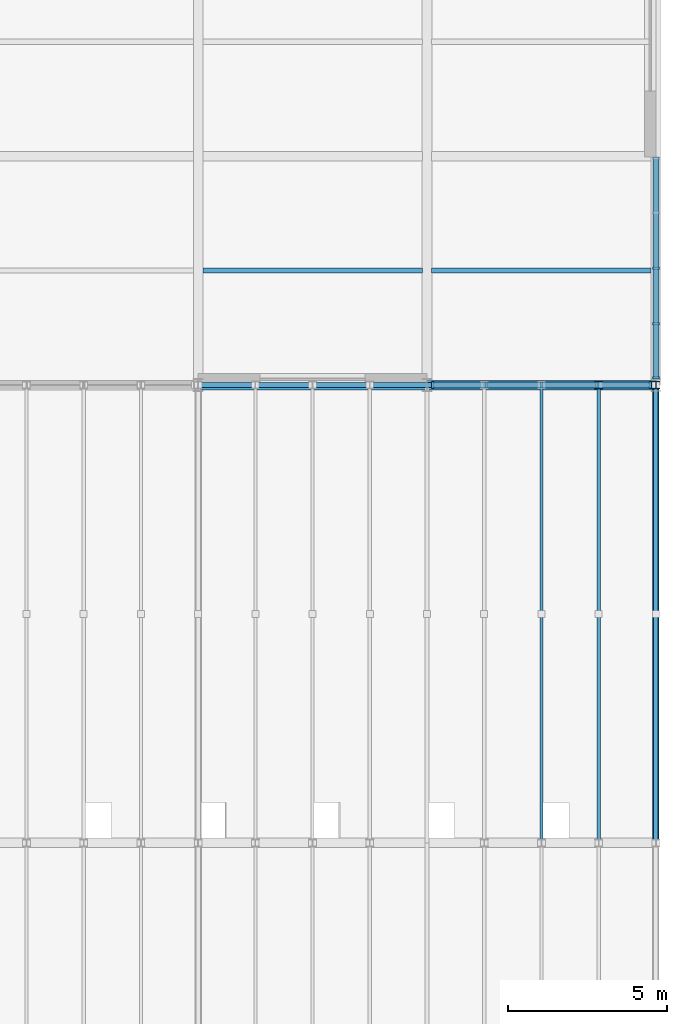
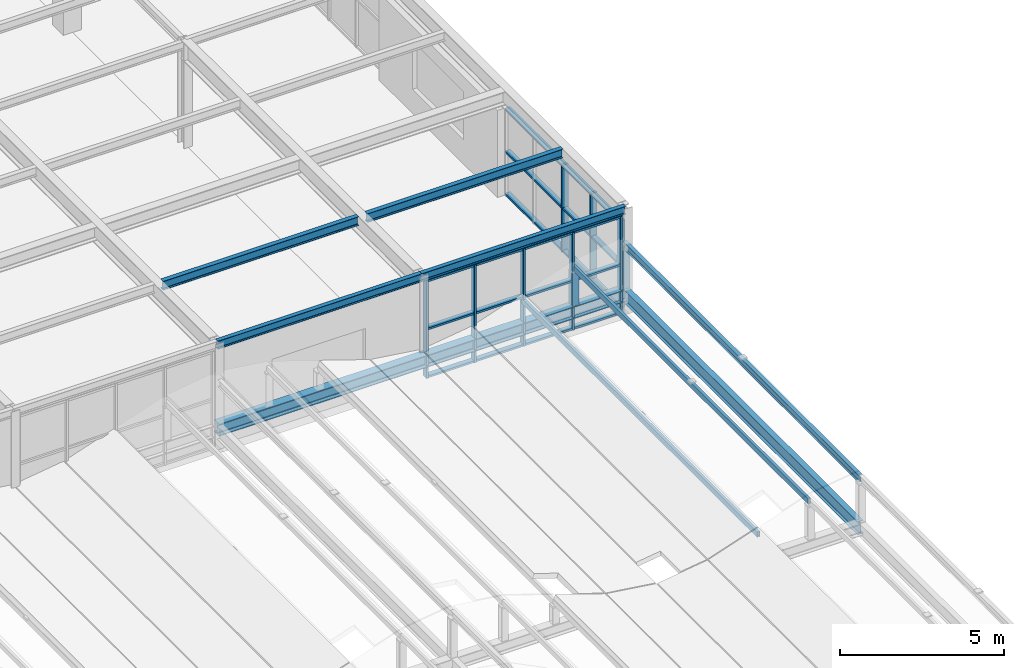
# One storey, part 37 of 83: 19 members, 6 beams, 2 elements without a shape of their own.
"""IFC4 building model written with IfcOpenShell, lengths in metres."""

from ifc_helpers import new_model, si_unit, direction, frame, origin, origin_2d, place, context, subcontext, project, spatial, rectangle, hollow_rectangle, i_section, extrude, material, material_profile, profile_set, type_object, element, aggregate, save


model = new_model("IFC4")

# Units and contexts
model_context = context("Model", 3, precision=1e-05, world=origin(), true_north=direction((0.0, 1.0)))
body_context = subcontext(model_context, "Body", "Model", "MODEL_VIEW")
ifc_project = project(units=[si_unit("LENGTHUNIT", "METRE"), si_unit("AREAUNIT", "SQUARE_METRE"), si_unit("VOLUMEUNIT", "CUBIC_METRE"), si_unit("PLANEANGLEUNIT", "RADIAN"), si_unit("MASSUNIT", "GRAM", prefix="KILO")], contexts=[model_context])

# Site, building, storey
site_placement = place(None, origin())
site = spatial("IfcSite", under=ifc_project, at=site_placement, CompositionType="ELEMENT")
building_placement = place(site_placement, origin())
building = spatial("IfcBuilding", under=site, at=building_placement, Name="Leyfeld Transit Interchange", CompositionType="ELEMENT")
storey_placement = place(building_placement, frame((0.0, 0.0, 5.39990234375)))
storey = spatial("IfcBuildingStorey", under=building, at=storey_placement, Name="L01", CompositionType="ELEMENT", Elevation=5.39990234375)

# Beams
ifc_material_1 = material(Name="Steel S355J2", Category="steel")
ifc_material_profile_1 = material_profile(ifc_material_1, i_section(OverallWidth=0.300048828125, OverallDepth=0.449951171875, WebThickness=0.013916015625, FlangeThickness=0.02587890625, FilletRadius=0.027099609375, at=origin_2d()), Name="HEB 450")
ifc_profile_set_1 = profile_set([ifc_material_profile_1], Name="Steel S355J2")
beam_type_1 = type_object("IfcBeamType", Name="BM-STL-HEB450", PredefinedType="JOIST", material=ifc_profile_set_1)
beam_1_placement = place(storey_placement, frame((172.800048828125, 43.199951171875, 0.675048828125), z_axis=(1.0, 0.0, 0.0), x_axis=(0.0, 1.0, 0.0)))
element("IfcBeam", 1, at=beam_1_placement, inside=storey, type_object=beam_type_1, Name="Bus Canopy Longitudinal Girder R4 B6", PredefinedType="JOIST", context=body_context, shape_type="SweptSolid", body=[
    extrude(i_section(OverallWidth=0.300048828125, OverallDepth=0.449951171875, WebThickness=0.013916015625, FlangeThickness=0.02587890625, FilletRadius=0.027099609375, at=origin_2d()), origin(), (0.0, 0.0, 1.0), 14.39990234375),
])
ifc_material_profile_2 = material_profile(ifc_material_1, i_section(OverallWidth=0.14990234375, OverallDepth=0.300048828125, WebThickness=0.007080078125, FlangeThickness=0.0107421875, FilletRadius=0.014892578125, at=origin_2d()), Name="IPE 300")
ifc_profile_set_2 = profile_set([ifc_material_profile_2], Name="Steel S355J2")
beam_type_2 = type_object("IfcBeamType", Name="BM-STL-IPE300", PredefinedType="SPANDREL", material=ifc_profile_set_2)
for number, where, z_axis, x_axis, name in (
    (2, (172.800048828125, 43.199951171875, 3.800048828125), (1.0, 0.0, 0.0), (0.0, 1.0, 0.0), "Beam BM-L01-1728_0432-1800_0432"),
    (3, (180.0, 43.199951171875, 3.800048828125), (1.0, 0.0, 0.0), (0.0, 1.0, 0.0), "Beam BM-L01-1800_0432-1872_0432"),
):
    element("IfcBeam", number, at=place(storey_placement, frame(where, z_axis=z_axis, x_axis=x_axis)), inside=storey, type_object=beam_type_2, Name=name, PredefinedType="SPANDREL", context=body_context, shape_type="SweptSolid", body=[
        extrude(i_section(OverallWidth=0.14990234375, OverallDepth=0.300048828125, WebThickness=0.007080078125, FlangeThickness=0.0107421875, FilletRadius=0.014892578125, at=origin_2d()), origin(), (0.0, 0.0, 1.0), 7.199951171875),
    ])
ifc_material_profile_3 = material_profile(ifc_material_1, i_section(OverallWidth=0.159912109375, OverallDepth=0.330078125, WebThickness=0.007568359375, FlangeThickness=0.011474609375, FilletRadius=0.01806640625, at=origin_2d()), Name="IPE 330")
ifc_profile_set_3 = profile_set([ifc_material_profile_3], Name="Steel S355J2")
beam_type_3 = type_object("IfcBeamType", Name="BM-STL-IPE330", PredefinedType="BEAM", material=ifc_profile_set_3)
for number, where, z_axis, x_axis, name in (
    (4, (172.947021484375, 46.800048828125, 3.78515625), (1.0, 0.0, 0.0), (0.0, 1.0, 0.0), "Beam BM-L01-1729_0468-1799_0468"),
    (5, (180.14697265625, 46.800048828125, 3.78515625), (1.0, 0.0, 0.0), (0.0, 1.0, 0.0), "Beam BM-L01-1801_0468-1871_0468"),
):
    element("IfcBeam", number, at=place(storey_placement, frame(where, z_axis=z_axis, x_axis=x_axis)), inside=storey, type_object=beam_type_3, Name=name, PredefinedType="BEAM", context=body_context, shape_type="SweptSolid", body=[
        extrude(i_section(OverallWidth=0.159912109375, OverallDepth=0.330078125, WebThickness=0.007568359375, FlangeThickness=0.011474609375, FilletRadius=0.01806640625, at=origin_2d()), origin(), (0.0, 0.0, 1.0), 6.906005859375),
    ])
ifc_material_profile_4 = material_profile(ifc_material_1, i_section(OverallWidth=0.199951171875, OverallDepth=0.5, WebThickness=0.01025390625, FlangeThickness=0.01611328125, FilletRadius=0.02099609375, at=origin_2d()), Name="IPE 500")
ifc_profile_set_4 = profile_set([ifc_material_profile_4], Name="Steel S355J2")
beam_type_4 = type_object("IfcBeamType", Name="BM-STL-IPE500", PredefinedType="BEAM", material=ifc_profile_set_4)
beam_2_placement = place(storey_placement, frame((187.199951171875, 28.800048828125, 0.650146484375), z_axis=(0.0, 1.0, 0.0), x_axis=(-1.0, 0.0, 0.0)))
element("IfcBeam", 6, at=beam_2_placement, inside=storey, type_object=beam_type_4, Name="Bus Canopy Transverse Portal Girder B7 R3", PredefinedType="BEAM", context=body_context, shape_type="SweptSolid", body=[
    extrude(i_section(OverallWidth=0.199951171875, OverallDepth=0.5, WebThickness=0.01025390625, FlangeThickness=0.01611328125, FilletRadius=0.02099609375, at=origin_2d()), origin(), (0.0, 0.0, 1.0), 14.39990234375),
])

# Curtain wall, members
ifc_material_2 = material(Name="Anodised aluminium EN AW-6060 T66", Category="aluminium")
curtain_wall_type = type_object("IfcCurtainWallType", Name="CW-SYS-BUS-7200", PredefinedType="NOTDEFINED", material=ifc_material_2)
curtain_wall_1_placement = place(storey_placement, origin())
curtain_wall_1 = element("IfcCurtainWall", 7, at=curtain_wall_1_placement, inside=storey, type_object=curtain_wall_type, Name="Curtain Wall CW-L01-095", PredefinedType="NOTDEFINED")
ifc_material_profile_5 = material_profile(ifc_material_2, rectangle(XDim=0.074951171875, YDim=0.219970703125, at=origin_2d()), Name="CW-M 75x220")
ifc_profile_set_5 = profile_set([ifc_material_profile_5], Name="Anodised aluminium EN AW-6060 T66")
member_type_1 = type_object("IfcMemberType", Name="CW-MUL-180x70", PredefinedType="MULLION", material=ifc_profile_set_5)
member_1_placement = place(storey_placement, frame((187.199951171875, 46.8798828125, 0.0), z_axis=(0.0, 0.0, 1.0), x_axis=(0.0, -1.0, 0.0)))
member_1 = element("IfcMember", 8, at=member_1_placement, type_object=member_type_1, Name="Curtain Mullion CW-L01-095-M03", PredefinedType="MULLION", context=body_context, shape_type="SweptSolid", body=[
    extrude(rectangle(XDim=0.074951171875, YDim=0.219970703125, at=origin_2d()), origin(), (0.0, 0.0, 1.0), 3.25),
])
member_2_placement = place(storey_placement, frame((187.199951171875, 45.135009765625, 0.0), z_axis=(0.0, 0.0, 1.0), x_axis=(0.0, -1.0, 0.0)))
member_2 = element("IfcMember", 9, at=member_2_placement, type_object=member_type_1, Name="Curtain Mullion CW-L01-095-M04", PredefinedType="MULLION", context=body_context, shape_type="SweptSolid", body=[
    extrude(rectangle(XDim=0.074951171875, YDim=0.219970703125, at=origin_2d()), origin(), (0.0, 0.0, 1.0), 3.25),
])
member_3_placement = place(storey_placement, frame((187.199951171875, 43.427490234375, 0.0), z_axis=(0.0, 0.0, 1.0), x_axis=(0.0, -1.0, 0.0)))
member_3 = element("IfcMember", 10, at=member_3_placement, type_object=member_type_1, Name="Curtain Mullion CW-L01-095-M05", PredefinedType="MULLION", context=body_context, shape_type="SweptSolid", body=[
    extrude(rectangle(XDim=0.074951171875, YDim=0.219970703125, at=origin_2d()), origin(), (0.0, 0.0, 1.0), 3.25),
])

curtain_wall_2_placement = place(storey_placement, origin())
curtain_wall_2 = element("IfcCurtainWall", 11, at=curtain_wall_2_placement, inside=storey, type_object=curtain_wall_type, Name="Curtain Wall CW-L01-096", PredefinedType="NOTDEFINED")
member_4_placement = place(storey_placement, frame((187.0224609375, 43.199951171875, 0.0), z_axis=(0.0, 0.0, 1.0), x_axis=(-1.0, 0.0, 0.0)))
member_4 = element("IfcMember", 12, at=member_4_placement, type_object=member_type_1, Name="Curtain Mullion CW-L01-096-M01", PredefinedType="MULLION", context=body_context, shape_type="SweptSolid", body=[
    extrude(rectangle(XDim=0.074951171875, YDim=0.219970703125, at=origin_2d()), origin(), (0.0, 0.0, 1.0), 3.650146484375),
])
member_5_placement = place(storey_placement, frame((185.330078125, 43.199951171875, 0.0), z_axis=(0.0, 0.0, 1.0), x_axis=(-1.0, 0.0, 0.0)))
member_5 = element("IfcMember", 13, at=member_5_placement, type_object=member_type_1, Name="Curtain Mullion CW-L01-096-M02", PredefinedType="MULLION", context=body_context, shape_type="SweptSolid", body=[
    extrude(rectangle(XDim=0.074951171875, YDim=0.219970703125, at=origin_2d()), origin(), (0.0, 0.0, 1.0), 3.650146484375),
])
member_6_placement = place(storey_placement, frame((183.60009765625, 43.199951171875, 0.0), z_axis=(0.0, 0.0, 1.0), x_axis=(-1.0, 0.0, 0.0)))
member_6 = element("IfcMember", 14, at=member_6_placement, type_object=member_type_1, Name="Curtain Mullion CW-L01-096-M03", PredefinedType="MULLION", context=body_context, shape_type="SweptSolid", body=[
    extrude(rectangle(XDim=0.074951171875, YDim=0.219970703125, at=origin_2d()), origin(), (0.0, 0.0, 1.0), 3.650146484375),
])
member_7_placement = place(storey_placement, frame((181.8701171875, 43.199951171875, 0.0), z_axis=(0.0, 0.0, 1.0), x_axis=(-1.0, 0.0, 0.0)))
member_7 = element("IfcMember", 15, at=member_7_placement, type_object=member_type_1, Name="Curtain Mullion CW-L01-096-M04", PredefinedType="MULLION", context=body_context, shape_type="SweptSolid", body=[
    extrude(rectangle(XDim=0.074951171875, YDim=0.219970703125, at=origin_2d()), origin(), (0.0, 0.0, 1.0), 3.650146484375),
])
member_8_placement = place(storey_placement, frame((180.177490234375, 43.199951171875, 0.0), z_axis=(0.0, 0.0, 1.0), x_axis=(-1.0, 0.0, 0.0)))
member_8 = element("IfcMember", 16, at=member_8_placement, type_object=member_type_1, Name="Curtain Mullion CW-L01-096-M05", PredefinedType="MULLION", context=body_context, shape_type="SweptSolid", body=[
    extrude(rectangle(XDim=0.074951171875, YDim=0.219970703125, at=origin_2d()), origin(), (0.0, 0.0, 1.0), 3.650146484375),
])

# Member
ifc_material_profile_6 = material_profile(ifc_material_2, rectangle(XDim=0.179931640625, YDim=0.074951171875, at=origin_2d()), Name="CW-TRN-160x70")
ifc_profile_set_6 = profile_set([ifc_material_profile_6], Name="Anodised aluminium EN AW-6060 T66")
member_type_2 = type_object("IfcMemberType", Name="CW-TRN-160x70", PredefinedType="USERDEFINED", material=ifc_profile_set_6)
member_9_placement = place(storey_placement, frame((187.199951171875, 50.3701171875, 0.03759765625), z_axis=(0.0, -1.0, 0.0), x_axis=(1.0, 0.0, 0.0)))
member_9 = element("IfcMember", 17, at=member_9_placement, type_object=member_type_2, Name="Curtain Transom CW-L01-095-T01", ObjectType="TRANSOM", PredefinedType="USERDEFINED", context=body_context, shape_type="SweptSolid", body=[
    extrude(rectangle(XDim=0.179931640625, YDim=0.074951171875, at=origin_2d()), origin(), (0.0, 0.0, 1.0), 6.980224609375),
])

member_10_placement = place(storey_placement, frame((187.199951171875, 50.3701171875, 1.625), z_axis=(0.0, -1.0, 0.0), x_axis=(1.0, 0.0, 0.0)))
member_10 = element("IfcMember", 18, at=member_10_placement, type_object=member_type_2, Name="Curtain Transom CW-L01-095-T02", ObjectType="TRANSOM", PredefinedType="USERDEFINED", context=body_context, shape_type="SweptSolid", body=[
    extrude(rectangle(XDim=0.179931640625, YDim=0.074951171875, at=origin_2d()), origin(), (0.0, 0.0, 1.0), 6.980224609375),
])

member_11_placement = place(storey_placement, frame((187.199951171875, 50.3701171875, 3.212646484375), z_axis=(0.0, -1.0, 0.0), x_axis=(1.0, 0.0, 0.0)))
member_11 = element("IfcMember", 19, at=member_11_placement, type_object=member_type_2, Name="Curtain Transom CW-L01-095-T03", ObjectType="TRANSOM", PredefinedType="USERDEFINED", context=body_context, shape_type="SweptSolid", body=[
    extrude(rectangle(XDim=0.179931640625, YDim=0.074951171875, at=origin_2d()), origin(), (0.0, 0.0, 1.0), 6.980224609375),
])

aggregate(curtain_wall_1, [member_1, member_2, member_3, member_9, member_10, member_11])

member_12_placement = place(storey_placement, frame((187.06005859375, 43.199951171875, 0.03759765625), z_axis=(-1.0, 0.0, 0.0), x_axis=(0.0, -1.0, 0.0)))
member_12 = element("IfcMember", 20, at=member_12_placement, type_object=member_type_2, Name="Curtain Transom CW-L01-096-T01", ObjectType="TRANSOM", PredefinedType="USERDEFINED", context=body_context, shape_type="SweptSolid", body=[
    extrude(rectangle(XDim=0.179931640625, YDim=0.074951171875, at=origin_2d()), origin(), (0.0, 0.0, 1.0), 6.920166015625),
])

member_13_placement = place(storey_placement, frame((187.06005859375, 43.199951171875, 1.8251953125), z_axis=(-1.0, 0.0, 0.0), x_axis=(0.0, -1.0, 0.0)))
member_13 = element("IfcMember", 21, at=member_13_placement, type_object=member_type_2, Name="Curtain Transom CW-L01-096-T02", ObjectType="TRANSOM", PredefinedType="USERDEFINED", context=body_context, shape_type="SweptSolid", body=[
    extrude(rectangle(XDim=0.179931640625, YDim=0.074951171875, at=origin_2d()), origin(), (0.0, 0.0, 1.0), 6.920166015625),
])

member_14_placement = place(storey_placement, frame((187.06005859375, 43.199951171875, 3.612548828125), z_axis=(-1.0, 0.0, 0.0), x_axis=(0.0, -1.0, 0.0)))
member_14 = element("IfcMember", 22, at=member_14_placement, type_object=member_type_2, Name="Curtain Transom CW-L01-096-T03", ObjectType="TRANSOM", PredefinedType="USERDEFINED", context=body_context, shape_type="SweptSolid", body=[
    extrude(rectangle(XDim=0.179931640625, YDim=0.074951171875, at=origin_2d()), origin(), (0.0, 0.0, 1.0), 6.920166015625),
])

aggregate(curtain_wall_2, [member_4, member_5, member_6, member_7, member_8, member_12, member_13, member_14])

# Members
ifc_material_profile_7 = material_profile(ifc_material_1, i_section(OverallWidth=0.239990234375, OverallDepth=0.22998046875, WebThickness=0.007568359375, FlangeThickness=0.011962890625, FilletRadius=0.02099609375, at=origin_2d()), Name="HEA 240")
ifc_profile_set_7 = profile_set([ifc_material_profile_7], Name="Steel S355J2")
member_type_3 = type_object("IfcMemberType", Name="MEM-CHD-HEA240", PredefinedType="CHORD", material=ifc_profile_set_7)
member_15_placement = place(storey_placement, frame((185.39990234375, 43.199951171875, 0.860107421875), z_axis=(0.0, 0.0, 1.0), x_axis=(1.0, 0.0, 0.0)))
element("IfcMember", 23, at=member_15_placement, inside=storey, type_object=member_type_3, Name="Wave Canopy Riser Post 312", PredefinedType="CHORD", context=body_context, shape_type="SweptSolid", body=[
    extrude(i_section(OverallWidth=0.239990234375, OverallDepth=0.22998046875, WebThickness=0.007568359375, FlangeThickness=0.011962890625, FilletRadius=0.02099609375, at=origin_2d()), origin(), (0.0, 0.0, 1.0), 1.2998046875),
])
member_16_placement = place(storey_placement, frame((187.199951171875, 43.199951171875, 0.860107421875), z_axis=(0.0, 0.0, 1.0), x_axis=(1.0, 0.0, 0.0)))
element("IfcMember", 24, at=member_16_placement, inside=storey, type_object=member_type_3, Name="Wave Canopy Riser Post 319", PredefinedType="CHORD", context=body_context, shape_type="SweptSolid", body=[
    extrude(i_section(OverallWidth=0.239990234375, OverallDepth=0.22998046875, WebThickness=0.007568359375, FlangeThickness=0.011962890625, FilletRadius=0.02099609375, at=origin_2d()), origin(), (0.0, 0.0, 1.0), 1.488037109375),
])
ifc_material_profile_8 = material_profile(ifc_material_1, i_section(OverallWidth=0.135009765625, OverallDepth=0.27001953125, WebThickness=0.006591796875, FlangeThickness=0.01025390625, FilletRadius=0.014892578125, at=origin_2d()), Name="IPE 270")
ifc_profile_set_8 = profile_set([ifc_material_profile_8], Name="Steel S355J2")
member_type_4 = type_object("IfcMemberType", Name="MEM-PUR-IPE270", PredefinedType="PURLIN", material=ifc_profile_set_8)
member_17_placement = place(storey_placement, frame((187.199951171875, 28.800048828125, 2.483154296875), z_axis=(0.0, 1.0, 0.0), x_axis=(-1.0, 0.0, 0.0)))
element("IfcMember", 25, at=member_17_placement, inside=storey, type_object=member_type_4, Name="Bus Canopy Purlin 317", PredefinedType="PURLIN", context=body_context, shape_type="SweptSolid", body=[
    extrude(i_section(OverallWidth=0.135009765625, OverallDepth=0.27001953125, WebThickness=0.006591796875, FlangeThickness=0.01025390625, FilletRadius=0.014892578125, at=origin_2d()), origin(), (0.0, 0.0, 1.0), 14.39990234375),
])
ifc_material_profile_9 = material_profile(ifc_material_1, hollow_rectangle(XDim=0.10009765625, YDim=0.199951171875, WallThickness=0.008056640625, at=origin_2d()), Name="RHS 200x100x8")
ifc_profile_set_9 = profile_set([ifc_material_profile_9], Name="Steel S355J2")
member_type_5 = type_object("IfcMemberType", Name="MEM-PUR-RHS200", PredefinedType="PURLIN", material=ifc_profile_set_9)
for number, where, z_axis, x_axis, name in (
    (26, (183.60009765625, 28.800048828125, 1.656494140625), (0.0, 1.0, 0.0), (-1.0, 0.0, 0.0), "Bus Canopy Purlin 303"),
    (27, (185.39990234375, 28.800048828125, 2.259765625), (0.0, 1.0, 0.0), (-1.0, 0.0, 0.0), "Bus Canopy Purlin 310"),
):
    element("IfcMember", number, at=place(storey_placement, frame(where, z_axis=z_axis, x_axis=x_axis)), inside=storey, type_object=member_type_5, Name=name, PredefinedType="PURLIN", context=body_context, shape_type="SweptSolid", body=[
        extrude(hollow_rectangle(XDim=0.10009765625, YDim=0.199951171875, WallThickness=0.008056640625, at=origin_2d()), origin(), (0.0, 0.0, 1.0), 14.39990234375),
    ])

save(model, "model.ifc")
